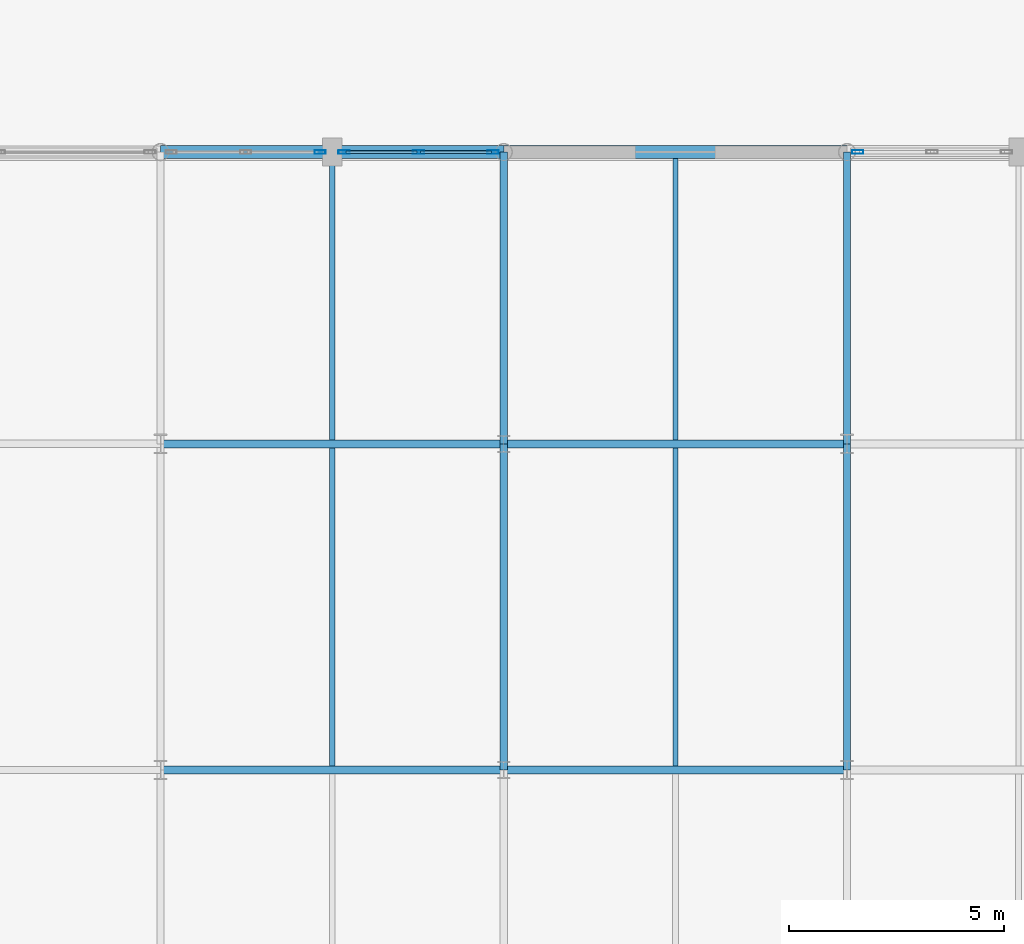
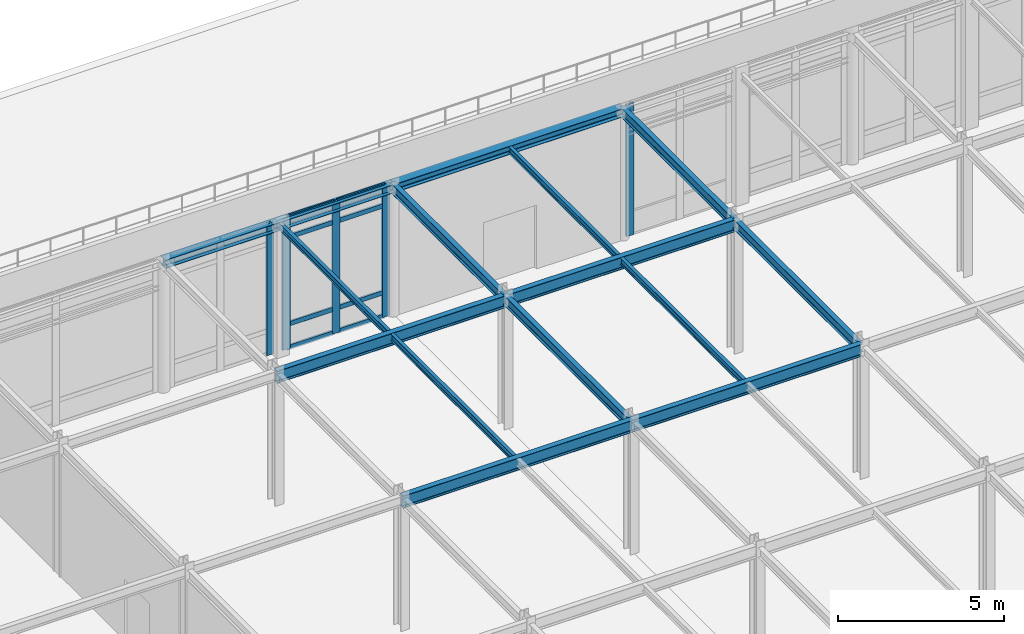
# One storey, part 43 of 113: 14 beams, 13 members, 3 elements without a shape of their own.
"""IFC4 building model written with IfcOpenShell, lengths in metres."""

from ifc_helpers import new_model, si_unit, direction, frame, origin, origin_2d, place, context, subcontext, project, spatial, hollow_rectangle, i_section, extrude, material, layer, layer_set, material_profile, profile_set, type_object, element, aggregate, save


model = new_model("IFC4")

# Units and contexts
model_context = context("Model", 3, precision=1e-05, world=origin(), true_north=direction((0.0, 1.0)))
body_context = subcontext(model_context, "Body", "Model", "MODEL_VIEW")
ifc_project = project(units=[si_unit("LENGTHUNIT", "METRE"), si_unit("AREAUNIT", "SQUARE_METRE"), si_unit("VOLUMEUNIT", "CUBIC_METRE"), si_unit("PLANEANGLEUNIT", "RADIAN"), si_unit("MASSUNIT", "GRAM", prefix="KILO")], contexts=[model_context])

# Site, building, storey
site_placement = place(None, origin())
site = spatial("IfcSite", under=ifc_project, at=site_placement, CompositionType="ELEMENT")
building_placement = place(site_placement, origin())
building = spatial("IfcBuilding", under=site, at=building_placement, Name="Shalkamar Park Central Library", CompositionType="ELEMENT")
storey_placement = place(building_placement, frame((0.0, 0.0, 5.39990234375)))
storey = spatial("IfcBuildingStorey", under=building, at=storey_placement, Name="L02", CompositionType="ELEMENT", Elevation=5.39990234375)

# Beams
ifc_material_1 = material(Name="Steel S355", Category="steel")
ifc_material_profile_1 = material_profile(ifc_material_1, i_section(OverallWidth=0.1201171875, OverallDepth=0.239990234375, WebThickness=0.006103515625, FlangeThickness=0.009765625, FilletRadius=0.014892578125, at=origin_2d()), Name="IPE 240")
ifc_profile_set_1 = profile_set([ifc_material_profile_1], Name="Steel S355")
beam_type_1 = type_object("IfcBeamType", Name="Composite Floor Joist IPE240", PredefinedType="JOIST", material=ifc_profile_set_1)
beam_1_placement = place(storey_placement, frame((169.0, 323.693115234375, 4.72998046875), z_axis=(0.0, 1.0, 0.0), x_axis=(-1.0, 0.0, 0.0)))
element("IfcBeam", 1, at=beam_1_placement, inside=storey, type_object=beam_type_1, Name="Composite Joist 07/M-1 (L02)", PredefinedType="JOIST", context=body_context, shape_type="SweptSolid", body=[
    extrude(i_section(OverallWidth=0.1201171875, OverallDepth=0.239990234375, WebThickness=0.006103515625, FlangeThickness=0.009765625, FilletRadius=0.014892578125, at=origin_2d()), origin(), (0.0, 0.0, 1.0), 7.413818359375),
])
beam_2_placement = place(storey_placement, frame((169.0, 331.29296875, 4.72998046875), z_axis=(0.0, 1.0, 0.0), x_axis=(-1.0, 0.0, 0.0)))
element("IfcBeam", 2, at=beam_2_placement, inside=storey, type_object=beam_type_1, Name="Composite Joist 07/N-1 (L02)", PredefinedType="JOIST", context=body_context, shape_type="SweptSolid", body=[
    extrude(i_section(OverallWidth=0.1201171875, OverallDepth=0.239990234375, WebThickness=0.006103515625, FlangeThickness=0.009765625, FilletRadius=0.014892578125, at=origin_2d()), origin(), (0.0, 0.0, 1.0), 6.55908203125),
])
beam_3_placement = place(storey_placement, frame((177.0, 323.693115234375, 4.72998046875), z_axis=(0.0, 1.0, 0.0), x_axis=(-1.0, 0.0, 0.0)))
element("IfcBeam", 3, at=beam_3_placement, inside=storey, type_object=beam_type_1, Name="Composite Joist 08/M-1 (L02)", PredefinedType="JOIST", context=body_context, shape_type="SweptSolid", body=[
    extrude(i_section(OverallWidth=0.1201171875, OverallDepth=0.239990234375, WebThickness=0.006103515625, FlangeThickness=0.009765625, FilletRadius=0.014892578125, at=origin_2d()), origin(), (0.0, 0.0, 1.0), 7.413818359375),
])
beam_4_placement = place(storey_placement, frame((177.0, 331.29296875, 4.72998046875), z_axis=(0.0, 1.0, 0.0), x_axis=(-1.0, 0.0, 0.0)))
element("IfcBeam", 4, at=beam_4_placement, inside=storey, type_object=beam_type_1, Name="Composite Joist 08/N-1 (L02)", PredefinedType="JOIST", context=body_context, shape_type="SweptSolid", body=[
    extrude(i_section(OverallWidth=0.1201171875, OverallDepth=0.239990234375, WebThickness=0.006103515625, FlangeThickness=0.009765625, FilletRadius=0.014892578125, at=origin_2d()), origin(), (0.0, 0.0, 1.0), 6.55908203125),
])

# Curtain wall, member
ifc_material_2 = material(Name="Thermally broken aluminium and triple low-e curtain wall", Category="aluminium")
ifc_layer_1 = layer(ifc_material_2, 0.2548828125)
ifc_layer_set_1 = layer_set([ifc_layer_1], Name="UnitisedCurtainWall_24")
curtain_wall_type_1 = type_object("IfcCurtainWallType", Name="Unitised Curtain Wall 24", PredefinedType="USERDEFINED", material=ifc_layer_set_1)
curtain_wall_1_placement = place(storey_placement, origin())
curtain_wall_1 = element("IfcCurtainWall", 5, at=curtain_wall_1_placement, inside=storey, type_object=curtain_wall_type_1, Name="Unitised Curtain Wall CW-L02-026", ObjectType="UNITISED CURTAIN WALL", PredefinedType="USERDEFINED")
ifc_material_3 = material(Name="Aluminium 6060-T66", Category="aluminium")
ifc_material_profile_2 = material_profile(ifc_material_3, hollow_rectangle(XDim=0.080078125, YDim=0.2548828125, WallThickness=0.00439453125, InnerFilletRadius=0.00439453125, OuterFilletRadius=0.0068359375, at=origin_2d()), Name="ALU 80x255x4.5")
ifc_profile_set_2 = profile_set([ifc_material_profile_2], Name="Aluminium 6060-T66")
member_type_1 = type_object("IfcMemberType", Name="Curtain Wall Mullion ALU80x255", PredefinedType="MULLION", material=ifc_profile_set_2)
member_1_placement = place(storey_placement, frame((168.719970703125, 338.0, 0.0), z_axis=(0.0, 0.0, 1.0), x_axis=(0.0, 1.0, 0.0)))
member_1 = element("IfcMember", 6, at=member_1_placement, type_object=member_type_1, Name="CW-24 mullion 3", PredefinedType="MULLION", context=body_context, shape_type="SweptSolid", body=[
    extrude(hollow_rectangle(XDim=0.080078125, YDim=0.2548828125, WallThickness=0.00439453125, InnerFilletRadius=0.00439453125, OuterFilletRadius=0.0068359375, at=origin_2d()), origin(), (0.0, 0.0, 1.0), 4.85009765625),
])
aggregate(curtain_wall_1, [member_1])

# Curtain wall, members
ifc_layer_2 = layer(ifc_material_2, 0.27001953125)
ifc_layer_set_2 = layer_set([ifc_layer_2], Name="UnitisedCurtainWall_25")
curtain_wall_type_2 = type_object("IfcCurtainWallType", Name="Unitised Curtain Wall 25", PredefinedType="USERDEFINED", material=ifc_layer_set_2)
curtain_wall_2_placement = place(storey_placement, origin())
curtain_wall_2 = element("IfcCurtainWall", 7, at=curtain_wall_2_placement, inside=storey, type_object=curtain_wall_type_2, Name="Unitised Curtain Wall CW-L02-027", ObjectType="UNITISED CURTAIN WALL", PredefinedType="USERDEFINED")
ifc_material_profile_3 = material_profile(ifc_material_3, hollow_rectangle(XDim=0.080078125, YDim=0.27001953125, WallThickness=0.0048828125, InnerFilletRadius=0.0048828125, OuterFilletRadius=0.007568359375, at=origin_2d()), Name="ALU 80x270x5")
ifc_profile_set_3 = profile_set([ifc_material_profile_3], Name="Aluminium 6060-T66")
member_type_2 = type_object("IfcMemberType", Name="Curtain Wall Mullion ALU80x270", PredefinedType="MULLION", material=ifc_profile_set_3)
member_2_placement = place(storey_placement, frame((169.280029296875, 338.0, 0.0), z_axis=(0.0, 0.0, 1.0), x_axis=(0.0, 1.0, 0.0)))
member_2 = element("IfcMember", 8, at=member_2_placement, type_object=member_type_2, Name="CW-25 mullion 1", PredefinedType="MULLION", context=body_context, shape_type="SweptSolid", body=[
    extrude(hollow_rectangle(XDim=0.080078125, YDim=0.27001953125, WallThickness=0.0048828125, InnerFilletRadius=0.0048828125, OuterFilletRadius=0.007568359375, at=origin_2d()), origin(), (0.0, 0.0, 1.0), 4.85009765625),
])
member_3_placement = place(storey_placement, frame((171.016357421875, 338.0, 0.0), z_axis=(0.0, 0.0, 1.0), x_axis=(0.0, 1.0, 0.0)))
member_3 = element("IfcMember", 9, at=member_3_placement, type_object=member_type_2, Name="CW-25 mullion 2", PredefinedType="MULLION", context=body_context, shape_type="SweptSolid", body=[
    extrude(hollow_rectangle(XDim=0.080078125, YDim=0.27001953125, WallThickness=0.0048828125, InnerFilletRadius=0.0048828125, OuterFilletRadius=0.007568359375, at=origin_2d()), origin(), (0.0, 0.0, 1.0), 4.85009765625),
])
member_4_placement = place(storey_placement, frame((172.752685546875, 338.0, 0.0), z_axis=(0.0, 0.0, 1.0), x_axis=(0.0, 1.0, 0.0)))
member_4 = element("IfcMember", 10, at=member_4_placement, type_object=member_type_2, Name="CW-25 mullion 3", PredefinedType="MULLION", context=body_context, shape_type="SweptSolid", body=[
    extrude(hollow_rectangle(XDim=0.080078125, YDim=0.27001953125, WallThickness=0.0048828125, InnerFilletRadius=0.0048828125, OuterFilletRadius=0.007568359375, at=origin_2d()), origin(), (0.0, 0.0, 1.0), 4.85009765625),
])

# Curtain wall, member
ifc_layer_3 = layer(ifc_material_2, 0.264892578125)
ifc_layer_set_3 = layer_set([ifc_layer_3], Name="UnitisedCurtainWall_26")
curtain_wall_type_3 = type_object("IfcCurtainWallType", Name="Unitised Curtain Wall 26", PredefinedType="USERDEFINED", material=ifc_layer_set_3)
curtain_wall_3_placement = place(storey_placement, origin())
curtain_wall_3 = element("IfcCurtainWall", 11, at=curtain_wall_3_placement, inside=storey, type_object=curtain_wall_type_3, Name="Unitised Curtain Wall CW-L02-028", ObjectType="UNITISED CURTAIN WALL", PredefinedType="USERDEFINED")
ifc_material_profile_4 = material_profile(ifc_material_3, hollow_rectangle(XDim=0.0849609375, YDim=0.264892578125, WallThickness=0.0048828125, InnerFilletRadius=0.0048828125, OuterFilletRadius=0.007568359375, at=origin_2d()), Name="ALU 85x265x5")
ifc_profile_set_4 = profile_set([ifc_material_profile_4], Name="Aluminium 6060-T66")
member_type_3 = type_object("IfcMemberType", Name="Curtain Wall Mullion ALU85x265", PredefinedType="MULLION", material=ifc_profile_set_4)
member_5_placement = place(storey_placement, frame((181.249755859375, 338.0, 0.0), z_axis=(0.0, 0.0, 1.0), x_axis=(0.0, 1.0, 0.0)))
member_5 = element("IfcMember", 12, at=member_5_placement, type_object=member_type_3, Name="CW-26 mullion 1", PredefinedType="MULLION", context=body_context, shape_type="SweptSolid", body=[
    extrude(hollow_rectangle(XDim=0.0849609375, YDim=0.264892578125, WallThickness=0.0048828125, InnerFilletRadius=0.0048828125, OuterFilletRadius=0.007568359375, at=origin_2d()), origin(), (0.0, 0.0, 1.0), 4.85009765625),
])
aggregate(curtain_wall_3, [member_5])

# Member
ifc_material_profile_5 = material_profile(ifc_material_3, hollow_rectangle(XDim=0.06494140625, YDim=0.175048828125, WallThickness=0.00439453125, InnerFilletRadius=0.00439453125, OuterFilletRadius=0.0068359375, at=origin_2d()), Name="ALU 65x175x4.5")
ifc_profile_set_5 = profile_set([ifc_material_profile_5], Name="Aluminium 6060-T66")
member_type_4 = type_object("IfcMemberType", Name="Curtain Wall Transom ALU65x175", PredefinedType="USERDEFINED", material=ifc_profile_set_5)
member_6_placement = place(storey_placement, frame((169.320068359375, 338.0, 0.03271484375), z_axis=(1.0, 0.0, 0.0), x_axis=(0.0, 1.0, 0.0)))
member_6 = element("IfcMember", 13, at=member_6_placement, type_object=member_type_4, Name="CW-25 transom 1.1", ObjectType="TRANSOM", PredefinedType="USERDEFINED", context=body_context, shape_type="SweptSolid", body=[
    extrude(hollow_rectangle(XDim=0.06494140625, YDim=0.175048828125, WallThickness=0.00439453125, InnerFilletRadius=0.00439453125, OuterFilletRadius=0.0068359375, at=origin_2d()), origin(), (0.0, 0.0, 1.0), 1.65625),
])

member_7_placement = place(storey_placement, frame((169.320068359375, 338.0, 0.900146484375), z_axis=(1.0, 0.0, 0.0), x_axis=(0.0, 1.0, 0.0)))
member_7 = element("IfcMember", 14, at=member_7_placement, type_object=member_type_4, Name="CW-25 transom 1.2", ObjectType="TRANSOM", PredefinedType="USERDEFINED", context=body_context, shape_type="SweptSolid", body=[
    extrude(hollow_rectangle(XDim=0.06494140625, YDim=0.175048828125, WallThickness=0.00439453125, InnerFilletRadius=0.00439453125, OuterFilletRadius=0.0068359375, at=origin_2d()), origin(), (0.0, 0.0, 1.0), 1.65625),
])

member_8_placement = place(storey_placement, frame((169.320068359375, 338.0, 4.10009765625), z_axis=(1.0, 0.0, 0.0), x_axis=(0.0, 1.0, 0.0)))
member_8 = element("IfcMember", 15, at=member_8_placement, type_object=member_type_4, Name="CW-25 transom 1.3", ObjectType="TRANSOM", PredefinedType="USERDEFINED", context=body_context, shape_type="SweptSolid", body=[
    extrude(hollow_rectangle(XDim=0.06494140625, YDim=0.175048828125, WallThickness=0.00439453125, InnerFilletRadius=0.00439453125, OuterFilletRadius=0.0068359375, at=origin_2d()), origin(), (0.0, 0.0, 1.0), 1.65625),
])

member_9_placement = place(storey_placement, frame((169.320068359375, 338.0, 4.817626953125), z_axis=(1.0, 0.0, 0.0), x_axis=(0.0, 1.0, 0.0)))
member_9 = element("IfcMember", 16, at=member_9_placement, type_object=member_type_4, Name="CW-25 transom 1.4", ObjectType="TRANSOM", PredefinedType="USERDEFINED", context=body_context, shape_type="SweptSolid", body=[
    extrude(hollow_rectangle(XDim=0.06494140625, YDim=0.175048828125, WallThickness=0.00439453125, InnerFilletRadius=0.00439453125, OuterFilletRadius=0.0068359375, at=origin_2d()), origin(), (0.0, 0.0, 1.0), 1.65625),
])

member_10_placement = place(storey_placement, frame((171.056396484375, 338.0, 0.03271484375), z_axis=(1.0, 0.0, 0.0), x_axis=(0.0, 1.0, 0.0)))
member_10 = element("IfcMember", 17, at=member_10_placement, type_object=member_type_4, Name="CW-25 transom 2.1", ObjectType="TRANSOM", PredefinedType="USERDEFINED", context=body_context, shape_type="SweptSolid", body=[
    extrude(hollow_rectangle(XDim=0.06494140625, YDim=0.175048828125, WallThickness=0.00439453125, InnerFilletRadius=0.00439453125, OuterFilletRadius=0.0068359375, at=origin_2d()), origin(), (0.0, 0.0, 1.0), 1.656494140625),
])

member_11_placement = place(storey_placement, frame((171.056396484375, 338.0, 0.900146484375), z_axis=(1.0, 0.0, 0.0), x_axis=(0.0, 1.0, 0.0)))
member_11 = element("IfcMember", 18, at=member_11_placement, type_object=member_type_4, Name="CW-25 transom 2.2", ObjectType="TRANSOM", PredefinedType="USERDEFINED", context=body_context, shape_type="SweptSolid", body=[
    extrude(hollow_rectangle(XDim=0.06494140625, YDim=0.175048828125, WallThickness=0.00439453125, InnerFilletRadius=0.00439453125, OuterFilletRadius=0.0068359375, at=origin_2d()), origin(), (0.0, 0.0, 1.0), 1.656494140625),
])

member_12_placement = place(storey_placement, frame((171.056396484375, 338.0, 4.10009765625), z_axis=(1.0, 0.0, 0.0), x_axis=(0.0, 1.0, 0.0)))
member_12 = element("IfcMember", 19, at=member_12_placement, type_object=member_type_4, Name="CW-25 transom 2.3", ObjectType="TRANSOM", PredefinedType="USERDEFINED", context=body_context, shape_type="SweptSolid", body=[
    extrude(hollow_rectangle(XDim=0.06494140625, YDim=0.175048828125, WallThickness=0.00439453125, InnerFilletRadius=0.00439453125, OuterFilletRadius=0.0068359375, at=origin_2d()), origin(), (0.0, 0.0, 1.0), 1.656494140625),
])

member_13_placement = place(storey_placement, frame((171.056396484375, 338.0, 4.817626953125), z_axis=(1.0, 0.0, 0.0), x_axis=(0.0, 1.0, 0.0)))
member_13 = element("IfcMember", 20, at=member_13_placement, type_object=member_type_4, Name="CW-25 transom 2.4", ObjectType="TRANSOM", PredefinedType="USERDEFINED", context=body_context, shape_type="SweptSolid", body=[
    extrude(hollow_rectangle(XDim=0.06494140625, YDim=0.175048828125, WallThickness=0.00439453125, InnerFilletRadius=0.00439453125, OuterFilletRadius=0.0068359375, at=origin_2d()), origin(), (0.0, 0.0, 1.0), 1.656494140625),
])

aggregate(curtain_wall_2, [member_2, member_3, member_4, member_6, member_7, member_8, member_9, member_10, member_11, member_12, member_13])

# Beams
ifc_material_profile_6 = material_profile(ifc_material_1, i_section(OverallWidth=0.300048828125, OverallDepth=0.31005859375, WebThickness=0.009033203125, FlangeThickness=0.015380859375, FilletRadius=0.027099609375, at=origin_2d()), Name="HEA 320")
ifc_profile_set_6 = profile_set([ifc_material_profile_6], Name="Steel S355")
beam_type_2 = type_object("IfcBeamType", Name="Perimeter Spandrel Beam HEA320", PredefinedType="SPANDREL", material=ifc_profile_set_6)
for number, where, z_axis, x_axis, name in (
    (21, (165.0, 338.0, 4.695068359375), (1.0, 0.0, 0.0), (0.0, 1.0, 0.0), "Beam P:07-08 (L02)"),
    (22, (173.0, 338.0, 4.695068359375), (1.0, 0.0, 0.0), (0.0, 1.0, 0.0), "Beam P:08-09 (L02)"),
):
    element("IfcBeam", number, at=place(storey_placement, frame(where, z_axis=z_axis, x_axis=x_axis)), inside=storey, type_object=beam_type_2, Name=name, PredefinedType="SPANDREL", context=body_context, shape_type="SweptSolid", body=[
        extrude(i_section(OverallWidth=0.300048828125, OverallDepth=0.31005859375, WebThickness=0.009033203125, FlangeThickness=0.015380859375, FilletRadius=0.027099609375, at=origin_2d()), origin(), (0.0, 0.0, 1.0), 8.0),
    ])
ifc_material_profile_7 = material_profile(ifc_material_1, i_section(OverallWidth=0.169921875, OverallDepth=0.360107421875, WebThickness=0.008056640625, FlangeThickness=0.0126953125, FilletRadius=0.01806640625, at=origin_2d()), Name="IPE 360")
ifc_profile_set_7 = profile_set([ifc_material_profile_7], Name="Steel S355")
beam_type_3 = type_object("IfcBeamType", Name="Primary Girder IPE360", PredefinedType="BEAM", material=ifc_profile_set_7)
beam_5_placement = place(storey_placement, frame((173.0, 323.60009765625, 4.670166015625), z_axis=(0.0, 1.0, 0.0), x_axis=(-1.0, 0.0, 0.0)))
element("IfcBeam", 23, at=beam_5_placement, inside=storey, type_object=beam_type_3, Name="Beam 08:M-N (L02)", PredefinedType="BEAM", context=body_context, shape_type="SweptSolid", body=[
    extrude(i_section(OverallWidth=0.169921875, OverallDepth=0.360107421875, WebThickness=0.008056640625, FlangeThickness=0.0126953125, FilletRadius=0.01806640625, at=origin_2d()), origin(), (0.0, 0.0, 1.0), 7.599853515625),
])
beam_6_placement = place(storey_placement, frame((173.0, 331.199951171875, 4.670166015625), z_axis=(0.0, 1.0, 0.0), x_axis=(-1.0, 0.0, 0.0)))
element("IfcBeam", 24, at=beam_6_placement, inside=storey, type_object=beam_type_3, Name="Beam 08:N-P (L02)", PredefinedType="BEAM", context=body_context, shape_type="SweptSolid", body=[
    extrude(i_section(OverallWidth=0.169921875, OverallDepth=0.360107421875, WebThickness=0.008056640625, FlangeThickness=0.0126953125, FilletRadius=0.01806640625, at=origin_2d()), origin(), (0.0, 0.0, 1.0), 6.800048828125),
])
beam_7_placement = place(storey_placement, frame((181.0, 323.60009765625, 4.670166015625), z_axis=(0.0, 1.0, 0.0), x_axis=(-1.0, 0.0, 0.0)))
element("IfcBeam", 25, at=beam_7_placement, inside=storey, type_object=beam_type_3, Name="Beam 09:M-N (L02)", PredefinedType="BEAM", context=body_context, shape_type="SweptSolid", body=[
    extrude(i_section(OverallWidth=0.169921875, OverallDepth=0.360107421875, WebThickness=0.008056640625, FlangeThickness=0.0126953125, FilletRadius=0.01806640625, at=origin_2d()), origin(), (0.0, 0.0, 1.0), 7.599853515625),
])
beam_8_placement = place(storey_placement, frame((181.0, 331.199951171875, 4.670166015625), z_axis=(0.0, 1.0, 0.0), x_axis=(-1.0, 0.0, 0.0)))
element("IfcBeam", 26, at=beam_8_placement, inside=storey, type_object=beam_type_3, Name="Beam 09:N-P (L02)", PredefinedType="BEAM", context=body_context, shape_type="SweptSolid", body=[
    extrude(i_section(OverallWidth=0.169921875, OverallDepth=0.360107421875, WebThickness=0.008056640625, FlangeThickness=0.0126953125, FilletRadius=0.01806640625, at=origin_2d()), origin(), (0.0, 0.0, 1.0), 6.800048828125),
])
ifc_material_profile_8 = material_profile(ifc_material_1, i_section(OverallWidth=0.18994140625, OverallDepth=0.449951171875, WebThickness=0.009521484375, FlangeThickness=0.0146484375, FilletRadius=0.02099609375, at=origin_2d()), Name="IPE 450")
ifc_profile_set_8 = profile_set([ifc_material_profile_8], Name="Steel S355")
beam_type_4 = type_object("IfcBeamType", Name="Primary Girder IPE450", PredefinedType="BEAM", material=ifc_profile_set_8)
for number, where, z_axis, x_axis, name in (
    (27, (165.0, 323.60009765625, 4.635009765625), (1.0, 0.0, 0.0), (0.0, 1.0, 0.0), "Beam M:07-08 (L02)"),
    (28, (173.0, 323.60009765625, 4.635009765625), (1.0, 0.0, 0.0), (0.0, 1.0, 0.0), "Beam M:08-09 (L02)"),
    (29, (165.0, 331.199951171875, 4.625), (1.0, 0.0, 0.0), (0.0, 1.0, 0.0), "Beam N:07-08 (L02)"),
    (30, (173.0, 331.199951171875, 4.625), (1.0, 0.0, 0.0), (0.0, 1.0, 0.0), "Beam N:08-09 (L02)"),
):
    element("IfcBeam", number, at=place(storey_placement, frame(where, z_axis=z_axis, x_axis=x_axis)), inside=storey, type_object=beam_type_4, Name=name, PredefinedType="BEAM", context=body_context, shape_type="SweptSolid", body=[
        extrude(i_section(OverallWidth=0.18994140625, OverallDepth=0.449951171875, WebThickness=0.009521484375, FlangeThickness=0.0146484375, FilletRadius=0.02099609375, at=origin_2d()), origin(), (0.0, 0.0, 1.0), 8.0),
    ])

save(model, "model.ifc")
